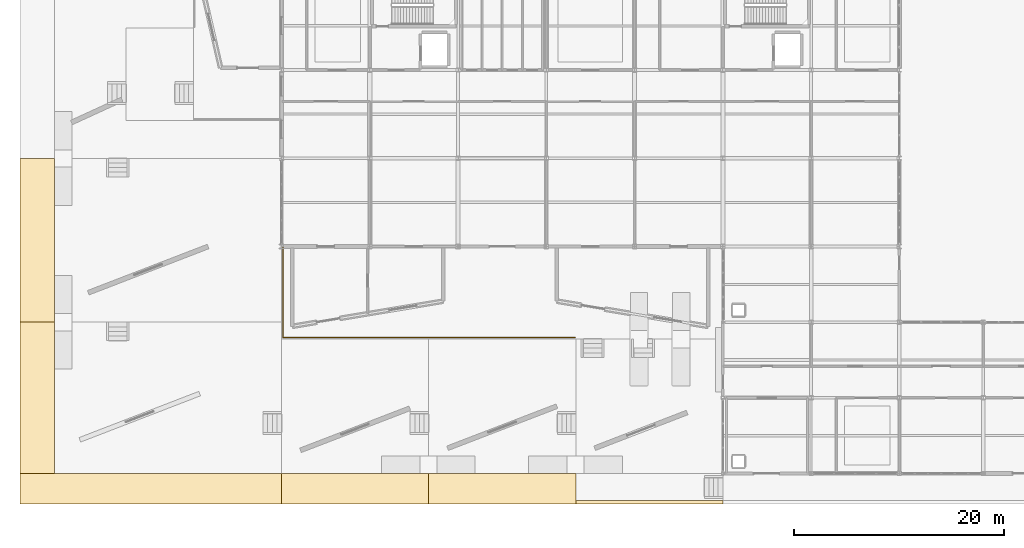
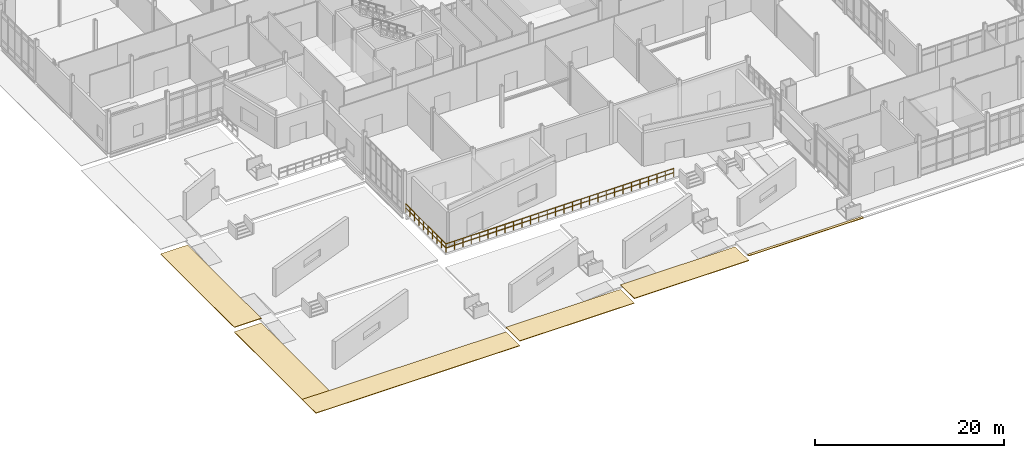
# One storey, part 205 of 229: 6 coverings, 1 railing.
"""IFC4 building model written with IfcOpenShell, lengths in metres."""

from ifc_helpers import new_model, si_unit, direction, frame, origin, origin_2d, place, context, subcontext, project, spatial, polyline, circle, outline, extrude, material, layer, layer_set, type_object, element, save


model = new_model("IFC4")

# Units and contexts
model_context = context("Model", 3, precision=1e-05, world=origin(), true_north=direction((0.0, 1.0)))
body_context = subcontext(model_context, "Body", "Model", "MODEL_VIEW")
ifc_project = project(units=[si_unit("LENGTHUNIT", "METRE"), si_unit("AREAUNIT", "SQUARE_METRE"), si_unit("VOLUMEUNIT", "CUBIC_METRE"), si_unit("PLANEANGLEUNIT", "RADIAN"), si_unit("MASSUNIT", "GRAM", prefix="KILO")], contexts=[model_context])

# Site, building, storey
site_placement = place(None, origin())
site = spatial("IfcSite", under=ifc_project, at=site_placement, CompositionType="ELEMENT")
building_placement = place(site_placement, origin())
building = spatial("IfcBuilding", under=site, at=building_placement, Name="Calvrana Isthmian Art Gallery", CompositionType="ELEMENT")
storey_placement = place(building_placement, origin())
storey = spatial("IfcBuildingStorey", under=building, at=storey_placement, Name="L00", CompositionType="ELEMENT", Elevation=0.0)

# Coverings
ifc_material_1 = material(Name="Pale Isthmian limestone", Category="masonry")
ifc_layer = layer(ifc_material_1, 0.080078125, Name="Pale Isthmian limestone")
ifc_layer_set = layer_set([ifc_layer], Name="Pale Isthmian limestone")
covering_type = type_object("IfcCoveringType", Name="COV-SITE-PAVING", PredefinedType="USERDEFINED", material=ifc_layer_set)
covering_1_placement = place(storey_placement, frame((0.0, 0.0, -2.47998046875)))
element("IfcCovering", 1, at=covering_1_placement, inside=storey, type_object=covering_type, Name="Stepped hillside grade paving bench PAV_SW_S1", ObjectType="PAVING", PredefinedType="USERDEFINED", context=body_context, shape_type="SweptSolid", body=[
    extrude(outline(polyline([(-3.300048828125, -2.89990234375), (21.60009765625, -2.89990234375), (21.60009765625, 0.001953125), (-3.300048828125, 0.001953125), (-3.300048828125, -2.89990234375)])), origin(), (0.0, 0.0, 1.0), 0.080078125),
])
covering_2_placement = place(storey_placement, frame((0.0, 0.0, -2.47998046875)))
element("IfcCovering", 2, at=covering_2_placement, inside=storey, type_object=covering_type, Name="Stepped hillside grade paving bench PAV_SW_W1", ObjectType="PAVING", PredefinedType="USERDEFINED", context=body_context, shape_type="SweptSolid", body=[
    extrude(outline(polyline([(-3.300048828125, 0.0), (0.001953125, 0.0), (0.001953125, 14.39990234375), (-3.300048828125, 14.39990234375), (-3.300048828125, 0.0)])), origin(), (0.0, 0.0, 1.0), 0.080078125),
])
covering_3_placement = place(storey_placement, frame((0.0, 0.0, -1.8798828125)))
element("IfcCovering", 3, at=covering_3_placement, inside=storey, type_object=covering_type, Name="Stepped hillside grade paving bench PAV_SW_W2", ObjectType="PAVING", PredefinedType="USERDEFINED", context=body_context, shape_type="SweptSolid", body=[
    extrude(outline(polyline([(-3.300048828125, 14.39990234375), (0.001953125, 14.39990234375), (0.001953125, 30.0), (-3.300048828125, 30.0), (-3.300048828125, 14.39990234375)])), origin(), (0.0, 0.0, 1.0), 0.079833984375),
])
covering_4_placement = place(storey_placement, frame((0.0, 0.0, -1.8798828125)))
element("IfcCovering", 4, at=covering_4_placement, inside=storey, type_object=covering_type, Name="Stepped hillside grade paving bench PAV_SW_S2", ObjectType="PAVING", PredefinedType="USERDEFINED", context=body_context, shape_type="SweptSolid", body=[
    extrude(outline(polyline([(21.60009765625, -2.89990234375), (35.60009765625, -2.89990234375), (35.60009765625, 0.001953125), (21.60009765625, 0.001953125), (21.60009765625, -2.89990234375)])), origin(), (0.0, 0.0, 1.0), 0.079833984375),
])
covering_5_placement = place(storey_placement, frame((0.0, 0.0, -1.280029296875)))
element("IfcCovering", 5, at=covering_5_placement, inside=storey, type_object=covering_type, Name="Stepped hillside grade paving bench PAV_SW_S3", ObjectType="PAVING", PredefinedType="USERDEFINED", context=body_context, shape_type="SweptSolid", body=[
    extrude(outline(polyline([(35.60009765625, -2.89990234375), (49.60009765625, -2.89990234375), (49.60009765625, 0.001953125), (35.60009765625, 0.001953125), (35.60009765625, -2.89990234375)])), origin(), (0.0, 0.0, 1.0), 0.080078125),
])
covering_6_placement = place(storey_placement, frame((0.0, 0.0, -0.679931640625)))
element("IfcCovering", 6, at=covering_6_placement, inside=storey, type_object=covering_type, Name="Stepped hillside grade paving bench PAV_SW_S4", ObjectType="PAVING", PredefinedType="USERDEFINED", context=body_context, shape_type="SweptSolid", body=[
    extrude(outline(polyline([(49.60009765625, -2.89990234375), (63.60009765625, -2.89990234375), (63.60009765625, -2.597900390625), (49.60009765625, -2.597900390625), (49.60009765625, -2.89990234375)])), origin(), (0.0, 0.0, 1.0), 0.079833984375),
])

# Railing
ifc_material_2 = material(Name="Anodized bronze aluminium 6063-T6", Category="aluminium")
railing_type = type_object("IfcRailingType", Name="RL-BAL-1120", PredefinedType="BALUSTRADE", material=ifc_material_2)
railing_placement = place(storey_placement, frame((21.719970703125, 21.5, 0.0)))
element("IfcRailing", 7, at=railing_placement, inside=storey, type_object=railing_type, Name="Sunken court terrace guard GR-C01", PredefinedType="BALUSTRADE", context=body_context, shape_type="SweptSolid", body=[
    extrude(circle(Radius=0.02392578125, at=origin_2d()), frame((0.0, 0.0, 1.09619140625), z_axis=(0.0, -1.0, 0.0), x_axis=(1.0, 0.0, 0.0)), (0.0, 0.0, 1.0), 8.580078125),
    extrude(circle(Radius=0.02392578125, at=origin_2d()), frame((0.0, 0.0, 0.56005859375), z_axis=(0.0, -1.0, 0.0), x_axis=(1.0, 0.0, 0.0)), (0.0, 0.0, 1.0), 8.580078125),
    extrude(circle(Radius=0.02392578125, at=origin_2d()), frame((0.0, -8.580078125, 1.09619140625), z_axis=(1.0, 0.0, 0.0), x_axis=(0.0, 1.0, 0.0)), (0.0, 0.0, 1.0), 27.830078125),
    extrude(circle(Radius=0.02392578125, at=origin_2d()), frame((0.0, -8.580078125, 0.56005859375), z_axis=(1.0, 0.0, 0.0), x_axis=(0.0, 1.0, 0.0)), (0.0, 0.0, 1.0), 27.830078125),
    extrude(circle(Radius=0.02099609375, at=origin_2d()), origin(), (0.0, 0.0, 1.0), 1.072021484375),
    extrude(circle(Radius=0.02099609375, at=origin_2d()), frame((0.0, -0.953369140625, 0.0)), (0.0, 0.0, 1.0), 1.072021484375),
    extrude(circle(Radius=0.02099609375, at=origin_2d()), frame((0.0, -1.90673828125, 0.0)), (0.0, 0.0, 1.0), 1.072021484375),
    extrude(circle(Radius=0.02099609375, at=origin_2d()), frame((0.0, -2.860107421875, 0.0)), (0.0, 0.0, 1.0), 1.072021484375),
    extrude(circle(Radius=0.02099609375, at=origin_2d()), frame((0.0, -3.8134765625, 0.0)), (0.0, 0.0, 1.0), 1.072021484375),
    extrude(circle(Radius=0.02099609375, at=origin_2d()), frame((0.0, -4.7666015625, 0.0)), (0.0, 0.0, 1.0), 1.072021484375),
    extrude(circle(Radius=0.02099609375, at=origin_2d()), frame((0.0, -5.719970703125, 0.0)), (0.0, 0.0, 1.0), 1.072021484375),
    extrude(circle(Radius=0.02099609375, at=origin_2d()), frame((0.0, -6.67333984375, 0.0)), (0.0, 0.0, 1.0), 1.072021484375),
    extrude(circle(Radius=0.02099609375, at=origin_2d()), frame((0.0, -7.626708984375, 0.0)), (0.0, 0.0, 1.0), 1.072021484375),
    extrude(circle(Radius=0.02099609375, at=origin_2d()), frame((0.0, -8.580078125, 0.0)), (0.0, 0.0, 1.0), 1.072021484375),
    extrude(circle(Radius=0.02099609375, at=origin_2d()), frame((1.03076171875, -8.580078125, 0.0)), (0.0, 0.0, 1.0), 1.072021484375),
    extrude(circle(Radius=0.02099609375, at=origin_2d()), frame((2.0615234375, -8.580078125, 0.0)), (0.0, 0.0, 1.0), 1.072021484375),
    extrude(circle(Radius=0.02099609375, at=origin_2d()), frame((3.09228515625, -8.580078125, 0.0)), (0.0, 0.0, 1.0), 1.072021484375),
    extrude(circle(Radius=0.02099609375, at=origin_2d()), frame((4.123046875, -8.580078125, 0.0)), (0.0, 0.0, 1.0), 1.072021484375),
    extrude(circle(Radius=0.02099609375, at=origin_2d()), frame((5.15380859375, -8.580078125, 0.0)), (0.0, 0.0, 1.0), 1.072021484375),
    extrude(circle(Radius=0.02099609375, at=origin_2d()), frame((6.1845703125, -8.580078125, 0.0)), (0.0, 0.0, 1.0), 1.072021484375),
    extrude(circle(Radius=0.02099609375, at=origin_2d()), frame((7.215087890625, -8.580078125, 0.0)), (0.0, 0.0, 1.0), 1.072021484375),
    extrude(circle(Radius=0.02099609375, at=origin_2d()), frame((8.245849609375, -8.580078125, 0.0)), (0.0, 0.0, 1.0), 1.072021484375),
    extrude(circle(Radius=0.02099609375, at=origin_2d()), frame((9.276611328125, -8.580078125, 0.0)), (0.0, 0.0, 1.0), 1.072021484375),
    extrude(circle(Radius=0.02099609375, at=origin_2d()), frame((10.307373046875, -8.580078125, 0.0)), (0.0, 0.0, 1.0), 1.072021484375),
    extrude(circle(Radius=0.02099609375, at=origin_2d()), frame((11.338134765625, -8.580078125, 0.0)), (0.0, 0.0, 1.0), 1.072021484375),
    extrude(circle(Radius=0.02099609375, at=origin_2d()), frame((12.368896484375, -8.580078125, 0.0)), (0.0, 0.0, 1.0), 1.072021484375),
    extrude(circle(Radius=0.02099609375, at=origin_2d()), frame((13.399658203125, -8.580078125, 0.0)), (0.0, 0.0, 1.0), 1.072021484375),
    extrude(circle(Radius=0.02099609375, at=origin_2d()), frame((14.430419921875, -8.580078125, 0.0)), (0.0, 0.0, 1.0), 1.072021484375),
    extrude(circle(Radius=0.02099609375, at=origin_2d()), frame((15.461181640625, -8.580078125, 0.0)), (0.0, 0.0, 1.0), 1.072021484375),
    extrude(circle(Radius=0.02099609375, at=origin_2d()), frame((16.491943359375, -8.580078125, 0.0)), (0.0, 0.0, 1.0), 1.072021484375),
    extrude(circle(Radius=0.02099609375, at=origin_2d()), frame((17.522705078125, -8.580078125, 0.0)), (0.0, 0.0, 1.0), 1.072021484375),
    extrude(circle(Radius=0.02099609375, at=origin_2d()), frame((18.553466796875, -8.580078125, 0.0)), (0.0, 0.0, 1.0), 1.072021484375),
    extrude(circle(Radius=0.02099609375, at=origin_2d()), frame((19.584228515625, -8.580078125, 0.0)), (0.0, 0.0, 1.0), 1.072021484375),
    extrude(circle(Radius=0.02099609375, at=origin_2d()), frame((20.614990234375, -8.580078125, 0.0)), (0.0, 0.0, 1.0), 1.072021484375),
    extrude(circle(Radius=0.02099609375, at=origin_2d()), frame((21.6455078125, -8.580078125, 0.0)), (0.0, 0.0, 1.0), 1.072021484375),
    extrude(circle(Radius=0.02099609375, at=origin_2d()), frame((22.67626953125, -8.580078125, 0.0)), (0.0, 0.0, 1.0), 1.072021484375),
    extrude(circle(Radius=0.02099609375, at=origin_2d()), frame((23.70703125, -8.580078125, 0.0)), (0.0, 0.0, 1.0), 1.072021484375),
    extrude(circle(Radius=0.02099609375, at=origin_2d()), frame((24.73779296875, -8.580078125, 0.0)), (0.0, 0.0, 1.0), 1.072021484375),
    extrude(circle(Radius=0.02099609375, at=origin_2d()), frame((25.7685546875, -8.580078125, 0.0)), (0.0, 0.0, 1.0), 1.072021484375),
    extrude(circle(Radius=0.02099609375, at=origin_2d()), frame((26.79931640625, -8.580078125, 0.0)), (0.0, 0.0, 1.0), 1.072021484375),
    extrude(circle(Radius=0.02099609375, at=origin_2d()), frame((27.830078125, -8.580078125, 0.0)), (0.0, 0.0, 1.0), 1.072021484375),
])

save(model, "model.ifc")
